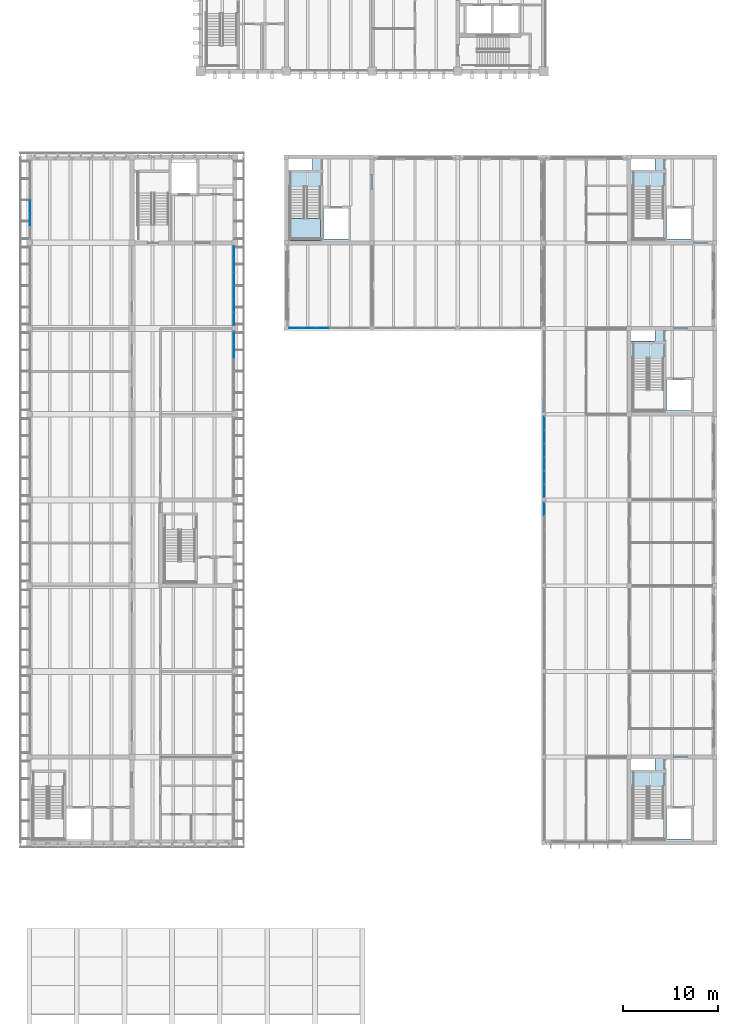
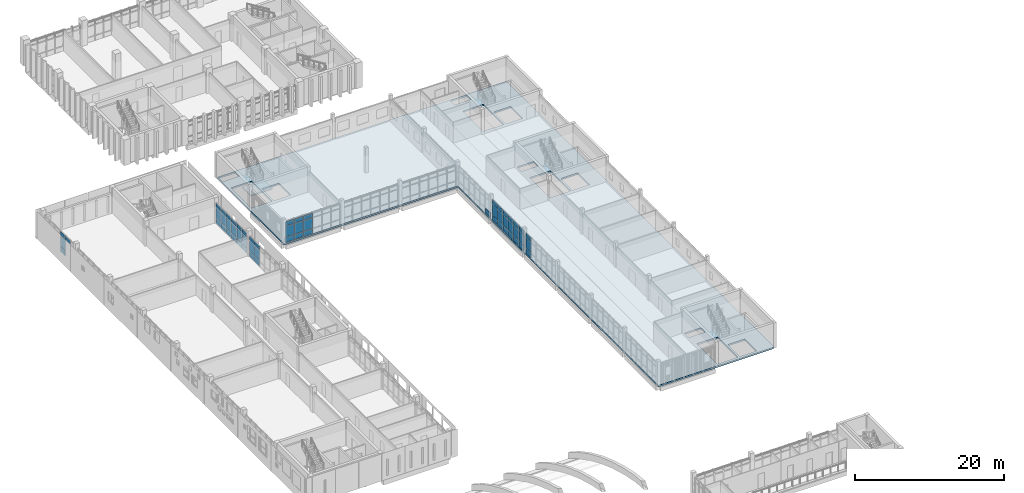
# One storey, part 44 of 88: 59 plates, 2 slabs, 8 elements without a shape of their own.
"""IFC4 building model written with IfcOpenShell, lengths in metres."""

from ifc_helpers import new_model, si_unit, direction, frame, origin, origin_2d, place, context, subcontext, project, spatial, polyline, rectangle, outline, extrude, material, layer, layer_set, type_object, element, aggregate, save


model = new_model("IFC4")

# Units and contexts
model_context = context("Model", 3, precision=1e-05, world=origin(), true_north=direction((0.0, 1.0)))
body_context = subcontext(model_context, "Body", "Model", "MODEL_VIEW")
ifc_project = project(units=[si_unit("LENGTHUNIT", "METRE"), si_unit("AREAUNIT", "SQUARE_METRE"), si_unit("VOLUMEUNIT", "CUBIC_METRE"), si_unit("PLANEANGLEUNIT", "RADIAN"), si_unit("MASSUNIT", "GRAM", prefix="KILO")], contexts=[model_context])

# Site, building, storey
site_placement = place(None, origin())
site = spatial("IfcSite", under=ifc_project, at=site_placement, CompositionType="ELEMENT")
building_placement = place(site_placement, origin())
building = spatial("IfcBuilding", under=site, at=building_placement, Name="Merrow Basin Faculty of Sciences", CompositionType="ELEMENT")
storey_placement = place(building_placement, frame((0.0, 0.0, 9.0)))
storey = spatial("IfcBuildingStorey", under=building, at=storey_placement, Name="L02", CompositionType="ELEMENT", Elevation=9.0)

# Slab
ifc_material_1 = material(Name="Concrete C40/50", Category="concrete")
ifc_layer_1 = layer(ifc_material_1, 0.25)
ifc_layer_set_1 = layer_set([ifc_layer_1], Name="Floor slab 250 Concrete C40/50")
slab_type_1 = type_object("IfcSlabType", Name="Floor slab 250 Concrete C40/50", PredefinedType="FLOOR", material=ifc_layer_set_1)
slab_1_placement = place(storey_placement, frame((0.0, 0.0, -0.25)))
element("IfcSlab", 1, at=slab_1_placement, inside=storey, type_object=slab_type_1, Name="SL7 floor L02 001", PredefinedType="FLOOR", context=body_context, shape_type="SweptSolid", body=[
    extrude(outline(polyline([(54.0, 61.0), (54.0, 115.0), (27.0, 115.0), (27.0, 133.0), (54.0, 133.0), (72.0, 133.0), (72.0, 61.0), (54.0, 61.0)]), holes=[polyline([(66.89990234375, 61.39990234375), (69.5, 61.39990234375), (69.5, 64.60009765625), (66.89990234375, 64.60009765625), (66.89990234375, 61.39990234375)]), polyline([(66.89990234375, 109.60009765625), (66.89990234375, 106.39990234375), (69.5, 106.39990234375), (69.5, 109.60009765625), (66.89990234375, 109.60009765625)]), polyline([(66.89990234375, 127.60009765625), (66.89990234375, 124.39990234375), (69.5, 124.39990234375), (69.5, 127.60009765625), (66.89990234375, 127.60009765625)]), polyline([(63.39990234375, 66.85009765625), (63.39990234375, 61.39990234375), (66.60009765625, 61.39990234375), (66.60009765625, 66.85009765625), (63.39990234375, 66.85009765625)]), polyline([(63.39990234375, 106.39990234375), (66.60009765625, 106.39990234375), (66.60009765625, 111.85009765625), (63.39990234375, 111.85009765625), (63.39990234375, 106.39990234375)]), polyline([(63.39990234375, 129.85009765625), (63.39990234375, 124.39990234375), (66.60009765625, 124.39990234375), (66.60009765625, 129.85009765625), (63.39990234375, 129.85009765625)]), polyline([(63.14990234375, 68.675048828125), (65.72509765625, 68.675048828125), (65.72509765625, 69.85009765625), (63.14990234375, 69.85009765625), (63.14990234375, 68.675048828125)]), polyline([(63.14990234375, 114.85009765625), (63.14990234375, 113.675048828125), (65.72509765625, 113.675048828125), (65.72509765625, 114.85009765625), (63.14990234375, 114.85009765625)]), polyline([(63.14990234375, 132.85009765625), (63.14990234375, 131.675048828125), (65.72509765625, 131.675048828125), (65.72509765625, 132.85009765625), (63.14990234375, 132.85009765625)]), polyline([(30.89990234375, 127.60009765625), (30.89990234375, 124.39990234375), (33.5, 124.39990234375), (33.5, 127.60009765625), (30.89990234375, 127.60009765625)]), polyline([(27.39990234375, 124.39990234375), (30.60009765625, 124.39990234375), (30.60009765625, 129.85009765625), (27.39990234375, 129.85009765625), (27.39990234375, 124.39990234375)]), polyline([(27.14990234375, 132.85009765625), (27.14990234375, 131.675048828125), (29.72509765625, 131.675048828125), (29.72509765625, 132.85009765625), (27.14990234375, 132.85009765625)])]), origin(), (0.0, 0.0, 1.0), 0.25),
])

# Curtain wall, plate
ifc_material_2 = material(Name="Aluminium alloy 6063", Category="aluminium")
curtain_wall_type_1 = type_object("IfcCurtainWallType", Name="Bar unitised curtain wall 180", PredefinedType="NOTDEFINED", material=ifc_material_2)
curtain_wall_1_placement = place(storey_placement, origin())
curtain_wall_1 = element("IfcCurtainWall", 2, at=curtain_wall_1_placement, inside=storey, type_object=curtain_wall_type_1, Name="West curtain wall L02 7", PredefinedType="NOTDEFINED")
ifc_material_3 = material(Name="Insulated aluminium spandrel panel", Category="aluminium")
ifc_layer_2 = layer(ifc_material_3, 0.052001953125)
ifc_layer_set_2 = layer_set([ifc_layer_2], Name="Insulated spandrel panel 52")
plate_type_1 = type_object("IfcPlateType", Name="Insulated spandrel panel 52", PredefinedType="CURTAIN_PANEL", material=ifc_layer_set_2)
plate_1_placement = place(storey_placement, frame((0.090087890625, 127.800048828125, 0.06005859375), z_axis=(0.0, 0.0, 1.0), x_axis=(0.0, 1.0, 0.0)))
plate_1 = element("IfcPlate", 3, at=plate_1_placement, type_object=plate_type_1, Name="CW1 panel 3.1", PredefinedType="CURTAIN_PANEL", context=body_context, shape_type="SweptSolid", body=[
    extrude(rectangle(XDim=1.340087890625, YDim=0.052001953125, at=origin_2d()), origin(), (0.0, 0.0, 1.0), 0.81005859375),
])

# Curtain wall, plates
curtain_wall_2_placement = place(storey_placement, origin())
curtain_wall_2 = element("IfcCurtainWall", 4, at=curtain_wall_2_placement, inside=storey, type_object=curtain_wall_type_1, Name="East curtain wall L02 5", PredefinedType="NOTDEFINED")
plate_2_placement = place(storey_placement, frame((21.510009765625, 112.60009765625, 0.06005859375), z_axis=(0.0, 0.0, 1.0), x_axis=(0.0, 1.0, 0.0)))
plate_2 = element("IfcPlate", 5, at=plate_2_placement, type_object=plate_type_1, Name="CW1 panel 5.1", PredefinedType="CURTAIN_PANEL", context=body_context, shape_type="SweptSolid", body=[
    extrude(rectangle(XDim=1.340087890625, YDim=0.052001953125, at=origin_2d()), origin(), (0.0, 0.0, 1.0), 0.81005859375),
])
plate_3_placement = place(storey_placement, frame((21.510009765625, 113.985107421875, 0.06005859375), z_axis=(0.0, 0.0, 1.0), x_axis=(0.0, 1.0, 0.0)))
plate_3 = element("IfcPlate", 6, at=plate_3_placement, type_object=plate_type_1, Name="CW1 panel 6.1", PredefinedType="CURTAIN_PANEL", context=body_context, shape_type="SweptSolid", body=[
    extrude(rectangle(XDim=1.31005859375, YDim=0.052001953125, at=origin_2d()), origin(), (0.0, 0.0, 1.0), 0.81005859375),
])

curtain_wall_3_placement = place(storey_placement, origin())
curtain_wall_3 = element("IfcCurtainWall", 7, at=curtain_wall_3_placement, inside=storey, type_object=curtain_wall_type_1, Name="East curtain wall L02 6", PredefinedType="NOTDEFINED")
plate_4_placement = place(storey_placement, frame((21.510009765625, 116.014892578125, 0.06005859375), z_axis=(0.0, 0.0, 1.0), x_axis=(0.0, 1.0, 0.0)))
plate_4 = element("IfcPlate", 8, at=plate_4_placement, type_object=plate_type_1, Name="CW1 panel 1.1", PredefinedType="CURTAIN_PANEL", context=body_context, shape_type="SweptSolid", body=[
    extrude(rectangle(XDim=1.31005859375, YDim=0.052001953125, at=origin_2d()), origin(), (0.0, 0.0, 1.0), 0.81005859375),
])
plate_5_placement = place(storey_placement, frame((21.510009765625, 117.39990234375, 0.06005859375), z_axis=(0.0, 0.0, 1.0), x_axis=(0.0, 1.0, 0.0)))
plate_5 = element("IfcPlate", 9, at=plate_5_placement, type_object=plate_type_1, Name="CW1 panel 2.1", PredefinedType="CURTAIN_PANEL", context=body_context, shape_type="SweptSolid", body=[
    extrude(rectangle(XDim=1.340087890625, YDim=0.052001953125, at=origin_2d()), origin(), (0.0, 0.0, 1.0), 0.81005859375),
])
plate_6_placement = place(storey_placement, frame((21.510009765625, 118.800048828125, 0.06005859375), z_axis=(0.0, 0.0, 1.0), x_axis=(0.0, 1.0, 0.0)))
plate_6 = element("IfcPlate", 10, at=plate_6_placement, type_object=plate_type_1, Name="CW1 panel 3.1", PredefinedType="CURTAIN_PANEL", context=body_context, shape_type="SweptSolid", body=[
    extrude(rectangle(XDim=1.340087890625, YDim=0.052001953125, at=origin_2d()), origin(), (0.0, 0.0, 1.0), 0.81005859375),
])
plate_7_placement = place(storey_placement, frame((21.510009765625, 120.199951171875, 0.06005859375), z_axis=(0.0, 0.0, 1.0), x_axis=(0.0, 1.0, 0.0)))
plate_7 = element("IfcPlate", 11, at=plate_7_placement, type_object=plate_type_1, Name="CW1 panel 4.1", PredefinedType="CURTAIN_PANEL", context=body_context, shape_type="SweptSolid", body=[
    extrude(rectangle(XDim=1.340087890625, YDim=0.052001953125, at=origin_2d()), origin(), (0.0, 0.0, 1.0), 0.81005859375),
])
plate_8_placement = place(storey_placement, frame((21.510009765625, 121.60009765625, 0.06005859375), z_axis=(0.0, 0.0, 1.0), x_axis=(0.0, 1.0, 0.0)))
plate_8 = element("IfcPlate", 12, at=plate_8_placement, type_object=plate_type_1, Name="CW1 panel 5.1", PredefinedType="CURTAIN_PANEL", context=body_context, shape_type="SweptSolid", body=[
    extrude(rectangle(XDim=1.340087890625, YDim=0.052001953125, at=origin_2d()), origin(), (0.0, 0.0, 1.0), 0.81005859375),
])
plate_9_placement = place(storey_placement, frame((21.510009765625, 122.985107421875, 0.06005859375), z_axis=(0.0, 0.0, 1.0), x_axis=(0.0, 1.0, 0.0)))
plate_9 = element("IfcPlate", 13, at=plate_9_placement, type_object=plate_type_1, Name="CW1 panel 6.1", PredefinedType="CURTAIN_PANEL", context=body_context, shape_type="SweptSolid", body=[
    extrude(rectangle(XDim=1.31005859375, YDim=0.052001953125, at=origin_2d()), origin(), (0.0, 0.0, 1.0), 0.81005859375),
])

# Curtain wall, plate
ifc_material_4 = material(Name="Aluminium alloy 6063", Category="aluminium")
curtain_wall_type_2 = type_object("IfcCurtainWallType", Name="Court curtain wall 140", PredefinedType="NOTDEFINED", material=ifc_material_4)
curtain_wall_4_placement = place(storey_placement, origin())
curtain_wall_4 = element("IfcCurtainWall", 14, at=curtain_wall_4_placement, inside=storey, type_object=curtain_wall_type_2, Name="Court curtain wall L02 4", PredefinedType="NOTDEFINED")
plate_10_placement = place(storey_placement, frame((54.070068359375, 96.047607421875, 0.06005859375), z_axis=(0.0, 0.0, 1.0), x_axis=(0.0, 1.0, 0.0)))
plate_10 = element("IfcPlate", 15, at=plate_10_placement, type_object=plate_type_1, Name="CW8 panel 6.1", PredefinedType="CURTAIN_PANEL", context=body_context, shape_type="SweptSolid", body=[
    extrude(rectangle(XDim=1.3349609375, YDim=0.052001953125, at=origin_2d()), origin(), (0.0, 0.0, 1.0), 0.81005859375),
])

# Curtain wall, plates
curtain_wall_5_placement = place(storey_placement, origin())
curtain_wall_5 = element("IfcCurtainWall", 16, at=curtain_wall_5_placement, inside=storey, type_object=curtain_wall_type_2, Name="Court curtain wall L02 5", PredefinedType="NOTDEFINED")
plate_11_placement = place(storey_placement, frame((54.070068359375, 97.952392578125, 0.06005859375), z_axis=(0.0, 0.0, 1.0), x_axis=(0.0, 1.0, 0.0)))
plate_11 = element("IfcPlate", 17, at=plate_11_placement, type_object=plate_type_1, Name="CW8 panel 1.1", PredefinedType="CURTAIN_PANEL", context=body_context, shape_type="SweptSolid", body=[
    extrude(rectangle(XDim=1.3349609375, YDim=0.052001953125, at=origin_2d()), origin(), (0.0, 0.0, 1.0), 0.81005859375),
])
plate_12_placement = place(storey_placement, frame((54.070068359375, 99.362548828125, 0.06005859375), z_axis=(0.0, 0.0, 1.0), x_axis=(0.0, 1.0, 0.0)))
plate_12 = element("IfcPlate", 18, at=plate_12_placement, type_object=plate_type_1, Name="CW8 panel 2.1", PredefinedType="CURTAIN_PANEL", context=body_context, shape_type="SweptSolid", body=[
    extrude(rectangle(XDim=1.364990234375, YDim=0.052001953125, at=origin_2d()), origin(), (0.0, 0.0, 1.0), 0.81005859375),
])
plate_13_placement = place(storey_placement, frame((54.070068359375, 100.78759765625, 0.06005859375), z_axis=(0.0, 0.0, 1.0), x_axis=(0.0, 1.0, 0.0)))
plate_13 = element("IfcPlate", 19, at=plate_13_placement, type_object=plate_type_1, Name="CW8 panel 3.1", PredefinedType="CURTAIN_PANEL", context=body_context, shape_type="SweptSolid", body=[
    extrude(rectangle(XDim=1.364990234375, YDim=0.052001953125, at=origin_2d()), origin(), (0.0, 0.0, 1.0), 0.81005859375),
])
plate_14_placement = place(storey_placement, frame((54.070068359375, 102.21240234375, 0.06005859375), z_axis=(0.0, 0.0, 1.0), x_axis=(0.0, 1.0, 0.0)))
plate_14 = element("IfcPlate", 20, at=plate_14_placement, type_object=plate_type_1, Name="CW8 panel 4.1", PredefinedType="CURTAIN_PANEL", context=body_context, shape_type="SweptSolid", body=[
    extrude(rectangle(XDim=1.364990234375, YDim=0.052001953125, at=origin_2d()), origin(), (0.0, 0.0, 1.0), 0.81005859375),
])
plate_15_placement = place(storey_placement, frame((54.070068359375, 103.637451171875, 0.06005859375), z_axis=(0.0, 0.0, 1.0), x_axis=(0.0, 1.0, 0.0)))
plate_15 = element("IfcPlate", 21, at=plate_15_placement, type_object=plate_type_1, Name="CW8 panel 5.1", PredefinedType="CURTAIN_PANEL", context=body_context, shape_type="SweptSolid", body=[
    extrude(rectangle(XDim=1.364990234375, YDim=0.052001953125, at=origin_2d()), origin(), (0.0, 0.0, 1.0), 0.81005859375),
])
plate_16_placement = place(storey_placement, frame((54.070068359375, 105.047607421875, 0.06005859375), z_axis=(0.0, 0.0, 1.0), x_axis=(0.0, 1.0, 0.0)))
plate_16 = element("IfcPlate", 22, at=plate_16_placement, type_object=plate_type_1, Name="CW8 panel 6.1", PredefinedType="CURTAIN_PANEL", context=body_context, shape_type="SweptSolid", body=[
    extrude(rectangle(XDim=1.3349609375, YDim=0.052001953125, at=origin_2d()), origin(), (0.0, 0.0, 1.0), 0.81005859375),
])

# Curtain wall, plate
curtain_wall_6_placement = place(storey_placement, origin())
curtain_wall_6 = element("IfcCurtainWall", 23, at=curtain_wall_6_placement, inside=storey, type_object=curtain_wall_type_2, Name="Court curtain wall L02 6", PredefinedType="NOTDEFINED")
plate_17_placement = place(storey_placement, frame((54.070068359375, 106.952392578125, 0.06005859375), z_axis=(0.0, 0.0, 1.0), x_axis=(0.0, 1.0, 0.0)))
plate_17 = element("IfcPlate", 24, at=plate_17_placement, type_object=plate_type_1, Name="CW8 panel 1.1", PredefinedType="CURTAIN_PANEL", context=body_context, shape_type="SweptSolid", body=[
    extrude(rectangle(XDim=1.3349609375, YDim=0.052001953125, at=origin_2d()), origin(), (0.0, 0.0, 1.0), 0.81005859375),
])
aggregate(curtain_wall_6, [plate_17])

# Curtain wall, plates
curtain_wall_7_placement = place(storey_placement, origin())
curtain_wall_7 = element("IfcCurtainWall", 25, at=curtain_wall_7_placement, inside=storey, type_object=curtain_wall_type_2, Name="Court curtain wall L02 1", PredefinedType="NOTDEFINED")
plate_18_placement = place(storey_placement, frame((27.952392578125, 115.070068359375, 0.06005859375), z_axis=(0.0, 0.0, 1.0), x_axis=(1.0, 0.0, 0.0)))
plate_18 = element("IfcPlate", 26, at=plate_18_placement, type_object=plate_type_1, Name="CW8 panel 1.1", PredefinedType="CURTAIN_PANEL", context=body_context, shape_type="SweptSolid", body=[
    extrude(rectangle(XDim=1.3349609375, YDim=0.052001953125, at=origin_2d()), origin(), (0.0, 0.0, 1.0), 0.81005859375),
])
plate_19_placement = place(storey_placement, frame((29.362548828125, 115.070068359375, 0.06005859375), z_axis=(0.0, 0.0, 1.0), x_axis=(1.0, 0.0, 0.0)))
plate_19 = element("IfcPlate", 27, at=plate_19_placement, type_object=plate_type_1, Name="CW8 panel 2.1", PredefinedType="CURTAIN_PANEL", context=body_context, shape_type="SweptSolid", body=[
    extrude(rectangle(XDim=1.364990234375, YDim=0.052001953125, at=origin_2d()), origin(), (0.0, 0.0, 1.0), 0.81005859375),
])
plate_20_placement = place(storey_placement, frame((30.78759765625, 115.070068359375, 0.06005859375), z_axis=(0.0, 0.0, 1.0), x_axis=(1.0, 0.0, 0.0)))
plate_20 = element("IfcPlate", 28, at=plate_20_placement, type_object=plate_type_1, Name="CW8 panel 3.1", PredefinedType="CURTAIN_PANEL", context=body_context, shape_type="SweptSolid", body=[
    extrude(rectangle(XDim=1.364990234375, YDim=0.052001953125, at=origin_2d()), origin(), (0.0, 0.0, 1.0), 0.81005859375),
])

# Plate
ifc_material_5 = material(Name="Low-E double glazing", Category="glass")
ifc_layer_3 = layer(ifc_material_5, 0.028076171875)
ifc_layer_set_3 = layer_set([ifc_layer_3], Name="Low-E double glazed panel 28")
plate_type_2 = type_object("IfcPlateType", Name="Low-E double glazed panel 28", PredefinedType="CURTAIN_PANEL", material=ifc_layer_set_3)
plate_21_placement = place(storey_placement, frame((0.090087890625, 126.39990234375, 2.72998046875), z_axis=(0.0, 0.0, 1.0), x_axis=(0.0, 1.0, 0.0)))
plate_21 = element("IfcPlate", 29, at=plate_21_placement, type_object=plate_type_2, Name="CW1 panel 2.3", PredefinedType="CURTAIN_PANEL", context=body_context, shape_type="SweptSolid", body=[
    extrude(rectangle(XDim=1.340087890625, YDim=0.028076171875, at=origin_2d()), origin(), (0.0, 0.0, 1.0), 0.610107421875),
])

plate_22_placement = place(storey_placement, frame((0.090087890625, 127.800048828125, 0.93017578125), z_axis=(0.0, 0.0, 1.0), x_axis=(0.0, 1.0, 0.0)))
plate_22 = element("IfcPlate", 30, at=plate_22_placement, type_object=plate_type_2, Name="CW1 panel 3.2", PredefinedType="CURTAIN_PANEL", context=body_context, shape_type="SweptSolid", body=[
    extrude(rectangle(XDim=1.340087890625, YDim=0.028076171875, at=origin_2d()), origin(), (0.0, 0.0, 1.0), 1.739990234375),
])

plate_23_placement = place(storey_placement, frame((0.090087890625, 127.800048828125, 2.72998046875), z_axis=(0.0, 0.0, 1.0), x_axis=(0.0, 1.0, 0.0)))
plate_23 = element("IfcPlate", 31, at=plate_23_placement, type_object=plate_type_2, Name="CW1 panel 3.3", PredefinedType="CURTAIN_PANEL", context=body_context, shape_type="SweptSolid", body=[
    extrude(rectangle(XDim=1.340087890625, YDim=0.028076171875, at=origin_2d()), origin(), (0.0, 0.0, 1.0), 0.610107421875),
])

aggregate(curtain_wall_1, [plate_21, plate_1, plate_22, plate_23])

plate_24_placement = place(storey_placement, frame((21.510009765625, 112.60009765625, 0.93017578125), z_axis=(0.0, 0.0, 1.0), x_axis=(0.0, 1.0, 0.0)))
plate_24 = element("IfcPlate", 32, at=plate_24_placement, type_object=plate_type_2, Name="CW1 panel 5.2", PredefinedType="CURTAIN_PANEL", context=body_context, shape_type="SweptSolid", body=[
    extrude(rectangle(XDim=1.340087890625, YDim=0.028076171875, at=origin_2d()), origin(), (0.0, 0.0, 1.0), 1.739990234375),
])

plate_25_placement = place(storey_placement, frame((21.510009765625, 112.60009765625, 2.72998046875), z_axis=(0.0, 0.0, 1.0), x_axis=(0.0, 1.0, 0.0)))
plate_25 = element("IfcPlate", 33, at=plate_25_placement, type_object=plate_type_2, Name="CW1 panel 5.3", PredefinedType="CURTAIN_PANEL", context=body_context, shape_type="SweptSolid", body=[
    extrude(rectangle(XDim=1.340087890625, YDim=0.028076171875, at=origin_2d()), origin(), (0.0, 0.0, 1.0), 0.610107421875),
])

plate_26_placement = place(storey_placement, frame((21.510009765625, 113.985107421875, 0.93017578125), z_axis=(0.0, 0.0, 1.0), x_axis=(0.0, 1.0, 0.0)))
plate_26 = element("IfcPlate", 34, at=plate_26_placement, type_object=plate_type_2, Name="CW1 panel 6.2", PredefinedType="CURTAIN_PANEL", context=body_context, shape_type="SweptSolid", body=[
    extrude(rectangle(XDim=1.31005859375, YDim=0.028076171875, at=origin_2d()), origin(), (0.0, 0.0, 1.0), 1.739990234375),
])

plate_27_placement = place(storey_placement, frame((21.510009765625, 113.985107421875, 2.72998046875), z_axis=(0.0, 0.0, 1.0), x_axis=(0.0, 1.0, 0.0)))
plate_27 = element("IfcPlate", 35, at=plate_27_placement, type_object=plate_type_2, Name="CW1 panel 6.3", PredefinedType="CURTAIN_PANEL", context=body_context, shape_type="SweptSolid", body=[
    extrude(rectangle(XDim=1.31005859375, YDim=0.028076171875, at=origin_2d()), origin(), (0.0, 0.0, 1.0), 0.610107421875),
])

aggregate(curtain_wall_2, [plate_2, plate_24, plate_25, plate_3, plate_26, plate_27])

plate_28_placement = place(storey_placement, frame((21.510009765625, 116.014892578125, 0.93017578125), z_axis=(0.0, 0.0, 1.0), x_axis=(0.0, 1.0, 0.0)))
plate_28 = element("IfcPlate", 36, at=plate_28_placement, type_object=plate_type_2, Name="CW1 panel 1.2", PredefinedType="CURTAIN_PANEL", context=body_context, shape_type="SweptSolid", body=[
    extrude(rectangle(XDim=1.31005859375, YDim=0.028076171875, at=origin_2d()), origin(), (0.0, 0.0, 1.0), 1.739990234375),
])

plate_29_placement = place(storey_placement, frame((21.510009765625, 116.014892578125, 2.72998046875), z_axis=(0.0, 0.0, 1.0), x_axis=(0.0, 1.0, 0.0)))
plate_29 = element("IfcPlate", 37, at=plate_29_placement, type_object=plate_type_2, Name="CW1 panel 1.3", PredefinedType="CURTAIN_PANEL", context=body_context, shape_type="SweptSolid", body=[
    extrude(rectangle(XDim=1.31005859375, YDim=0.028076171875, at=origin_2d()), origin(), (0.0, 0.0, 1.0), 0.610107421875),
])

plate_30_placement = place(storey_placement, frame((21.510009765625, 117.39990234375, 0.93017578125), z_axis=(0.0, 0.0, 1.0), x_axis=(0.0, 1.0, 0.0)))
plate_30 = element("IfcPlate", 38, at=plate_30_placement, type_object=plate_type_2, Name="CW1 panel 2.2", PredefinedType="CURTAIN_PANEL", context=body_context, shape_type="SweptSolid", body=[
    extrude(rectangle(XDim=1.340087890625, YDim=0.028076171875, at=origin_2d()), origin(), (0.0, 0.0, 1.0), 1.739990234375),
])

plate_31_placement = place(storey_placement, frame((21.510009765625, 117.39990234375, 2.72998046875), z_axis=(0.0, 0.0, 1.0), x_axis=(0.0, 1.0, 0.0)))
plate_31 = element("IfcPlate", 39, at=plate_31_placement, type_object=plate_type_2, Name="CW1 panel 2.3", PredefinedType="CURTAIN_PANEL", context=body_context, shape_type="SweptSolid", body=[
    extrude(rectangle(XDim=1.340087890625, YDim=0.028076171875, at=origin_2d()), origin(), (0.0, 0.0, 1.0), 0.610107421875),
])

plate_32_placement = place(storey_placement, frame((21.510009765625, 118.800048828125, 0.93017578125), z_axis=(0.0, 0.0, 1.0), x_axis=(0.0, 1.0, 0.0)))
plate_32 = element("IfcPlate", 40, at=plate_32_placement, type_object=plate_type_2, Name="CW1 panel 3.2", PredefinedType="CURTAIN_PANEL", context=body_context, shape_type="SweptSolid", body=[
    extrude(rectangle(XDim=1.340087890625, YDim=0.028076171875, at=origin_2d()), origin(), (0.0, 0.0, 1.0), 1.739990234375),
])

plate_33_placement = place(storey_placement, frame((21.510009765625, 118.800048828125, 2.72998046875), z_axis=(0.0, 0.0, 1.0), x_axis=(0.0, 1.0, 0.0)))
plate_33 = element("IfcPlate", 41, at=plate_33_placement, type_object=plate_type_2, Name="CW1 panel 3.3", PredefinedType="CURTAIN_PANEL", context=body_context, shape_type="SweptSolid", body=[
    extrude(rectangle(XDim=1.340087890625, YDim=0.028076171875, at=origin_2d()), origin(), (0.0, 0.0, 1.0), 0.610107421875),
])

plate_34_placement = place(storey_placement, frame((21.510009765625, 120.199951171875, 0.93017578125), z_axis=(0.0, 0.0, 1.0), x_axis=(0.0, 1.0, 0.0)))
plate_34 = element("IfcPlate", 42, at=plate_34_placement, type_object=plate_type_2, Name="CW1 panel 4.2", PredefinedType="CURTAIN_PANEL", context=body_context, shape_type="SweptSolid", body=[
    extrude(rectangle(XDim=1.340087890625, YDim=0.028076171875, at=origin_2d()), origin(), (0.0, 0.0, 1.0), 1.739990234375),
])

plate_35_placement = place(storey_placement, frame((21.510009765625, 120.199951171875, 2.72998046875), z_axis=(0.0, 0.0, 1.0), x_axis=(0.0, 1.0, 0.0)))
plate_35 = element("IfcPlate", 43, at=plate_35_placement, type_object=plate_type_2, Name="CW1 panel 4.3", PredefinedType="CURTAIN_PANEL", context=body_context, shape_type="SweptSolid", body=[
    extrude(rectangle(XDim=1.340087890625, YDim=0.028076171875, at=origin_2d()), origin(), (0.0, 0.0, 1.0), 0.610107421875),
])

plate_36_placement = place(storey_placement, frame((21.510009765625, 121.60009765625, 0.93017578125), z_axis=(0.0, 0.0, 1.0), x_axis=(0.0, 1.0, 0.0)))
plate_36 = element("IfcPlate", 44, at=plate_36_placement, type_object=plate_type_2, Name="CW1 panel 5.2", PredefinedType="CURTAIN_PANEL", context=body_context, shape_type="SweptSolid", body=[
    extrude(rectangle(XDim=1.340087890625, YDim=0.028076171875, at=origin_2d()), origin(), (0.0, 0.0, 1.0), 1.739990234375),
])

plate_37_placement = place(storey_placement, frame((21.510009765625, 121.60009765625, 2.72998046875), z_axis=(0.0, 0.0, 1.0), x_axis=(0.0, 1.0, 0.0)))
plate_37 = element("IfcPlate", 45, at=plate_37_placement, type_object=plate_type_2, Name="CW1 panel 5.3", PredefinedType="CURTAIN_PANEL", context=body_context, shape_type="SweptSolid", body=[
    extrude(rectangle(XDim=1.340087890625, YDim=0.028076171875, at=origin_2d()), origin(), (0.0, 0.0, 1.0), 0.610107421875),
])

plate_38_placement = place(storey_placement, frame((21.510009765625, 122.985107421875, 0.93017578125), z_axis=(0.0, 0.0, 1.0), x_axis=(0.0, 1.0, 0.0)))
plate_38 = element("IfcPlate", 46, at=plate_38_placement, type_object=plate_type_2, Name="CW1 panel 6.2", PredefinedType="CURTAIN_PANEL", context=body_context, shape_type="SweptSolid", body=[
    extrude(rectangle(XDim=1.31005859375, YDim=0.028076171875, at=origin_2d()), origin(), (0.0, 0.0, 1.0), 1.739990234375),
])

plate_39_placement = place(storey_placement, frame((21.510009765625, 122.985107421875, 2.72998046875), z_axis=(0.0, 0.0, 1.0), x_axis=(0.0, 1.0, 0.0)))
plate_39 = element("IfcPlate", 47, at=plate_39_placement, type_object=plate_type_2, Name="CW1 panel 6.3", PredefinedType="CURTAIN_PANEL", context=body_context, shape_type="SweptSolid", body=[
    extrude(rectangle(XDim=1.31005859375, YDim=0.028076171875, at=origin_2d()), origin(), (0.0, 0.0, 1.0), 0.610107421875),
])

aggregate(curtain_wall_3, [plate_4, plate_28, plate_29, plate_5, plate_30, plate_31, plate_6, plate_32, plate_33, plate_7, plate_34, plate_35, plate_8, plate_36, plate_37, plate_9, plate_38, plate_39])

plate_40_placement = place(storey_placement, frame((54.070068359375, 96.047607421875, 0.93017578125), z_axis=(0.0, 0.0, 1.0), x_axis=(0.0, 1.0, 0.0)))
plate_40 = element("IfcPlate", 48, at=plate_40_placement, type_object=plate_type_2, Name="CW8 panel 6.2", PredefinedType="CURTAIN_PANEL", context=body_context, shape_type="SweptSolid", body=[
    extrude(rectangle(XDim=1.3349609375, YDim=0.028076171875, at=origin_2d()), origin(), (0.0, 0.0, 1.0), 1.739990234375),
])

plate_41_placement = place(storey_placement, frame((54.070068359375, 96.047607421875, 2.72998046875), z_axis=(0.0, 0.0, 1.0), x_axis=(0.0, 1.0, 0.0)))
plate_41 = element("IfcPlate", 49, at=plate_41_placement, type_object=plate_type_2, Name="CW8 panel 6.3", PredefinedType="CURTAIN_PANEL", context=body_context, shape_type="SweptSolid", body=[
    extrude(rectangle(XDim=1.3349609375, YDim=0.028076171875, at=origin_2d()), origin(), (0.0, 0.0, 1.0), 0.659912109375),
])

aggregate(curtain_wall_4, [plate_10, plate_40, plate_41])

plate_42_placement = place(storey_placement, frame((54.070068359375, 97.952392578125, 0.93017578125), z_axis=(0.0, 0.0, 1.0), x_axis=(0.0, 1.0, 0.0)))
plate_42 = element("IfcPlate", 50, at=plate_42_placement, type_object=plate_type_2, Name="CW8 panel 1.2", PredefinedType="CURTAIN_PANEL", context=body_context, shape_type="SweptSolid", body=[
    extrude(rectangle(XDim=1.3349609375, YDim=0.028076171875, at=origin_2d()), origin(), (0.0, 0.0, 1.0), 1.739990234375),
])

plate_43_placement = place(storey_placement, frame((54.070068359375, 97.952392578125, 2.72998046875), z_axis=(0.0, 0.0, 1.0), x_axis=(0.0, 1.0, 0.0)))
plate_43 = element("IfcPlate", 51, at=plate_43_placement, type_object=plate_type_2, Name="CW8 panel 1.3", PredefinedType="CURTAIN_PANEL", context=body_context, shape_type="SweptSolid", body=[
    extrude(rectangle(XDim=1.3349609375, YDim=0.028076171875, at=origin_2d()), origin(), (0.0, 0.0, 1.0), 0.659912109375),
])

plate_44_placement = place(storey_placement, frame((54.070068359375, 99.362548828125, 0.93017578125), z_axis=(0.0, 0.0, 1.0), x_axis=(0.0, 1.0, 0.0)))
plate_44 = element("IfcPlate", 52, at=plate_44_placement, type_object=plate_type_2, Name="CW8 panel 2.2", PredefinedType="CURTAIN_PANEL", context=body_context, shape_type="SweptSolid", body=[
    extrude(rectangle(XDim=1.364990234375, YDim=0.028076171875, at=origin_2d()), origin(), (0.0, 0.0, 1.0), 1.739990234375),
])

plate_45_placement = place(storey_placement, frame((54.070068359375, 99.362548828125, 2.72998046875), z_axis=(0.0, 0.0, 1.0), x_axis=(0.0, 1.0, 0.0)))
plate_45 = element("IfcPlate", 53, at=plate_45_placement, type_object=plate_type_2, Name="CW8 panel 2.3", PredefinedType="CURTAIN_PANEL", context=body_context, shape_type="SweptSolid", body=[
    extrude(rectangle(XDim=1.364990234375, YDim=0.028076171875, at=origin_2d()), origin(), (0.0, 0.0, 1.0), 0.659912109375),
])

plate_46_placement = place(storey_placement, frame((54.070068359375, 100.78759765625, 0.93017578125), z_axis=(0.0, 0.0, 1.0), x_axis=(0.0, 1.0, 0.0)))
plate_46 = element("IfcPlate", 54, at=plate_46_placement, type_object=plate_type_2, Name="CW8 panel 3.2", PredefinedType="CURTAIN_PANEL", context=body_context, shape_type="SweptSolid", body=[
    extrude(rectangle(XDim=1.364990234375, YDim=0.028076171875, at=origin_2d()), origin(), (0.0, 0.0, 1.0), 1.739990234375),
])

plate_47_placement = place(storey_placement, frame((54.070068359375, 100.78759765625, 2.72998046875), z_axis=(0.0, 0.0, 1.0), x_axis=(0.0, 1.0, 0.0)))
plate_47 = element("IfcPlate", 55, at=plate_47_placement, type_object=plate_type_2, Name="CW8 panel 3.3", PredefinedType="CURTAIN_PANEL", context=body_context, shape_type="SweptSolid", body=[
    extrude(rectangle(XDim=1.364990234375, YDim=0.028076171875, at=origin_2d()), origin(), (0.0, 0.0, 1.0), 0.659912109375),
])

plate_48_placement = place(storey_placement, frame((54.070068359375, 102.21240234375, 0.93017578125), z_axis=(0.0, 0.0, 1.0), x_axis=(0.0, 1.0, 0.0)))
plate_48 = element("IfcPlate", 56, at=plate_48_placement, type_object=plate_type_2, Name="CW8 panel 4.2", PredefinedType="CURTAIN_PANEL", context=body_context, shape_type="SweptSolid", body=[
    extrude(rectangle(XDim=1.364990234375, YDim=0.028076171875, at=origin_2d()), origin(), (0.0, 0.0, 1.0), 1.739990234375),
])

plate_49_placement = place(storey_placement, frame((54.070068359375, 102.21240234375, 2.72998046875), z_axis=(0.0, 0.0, 1.0), x_axis=(0.0, 1.0, 0.0)))
plate_49 = element("IfcPlate", 57, at=plate_49_placement, type_object=plate_type_2, Name="CW8 panel 4.3", PredefinedType="CURTAIN_PANEL", context=body_context, shape_type="SweptSolid", body=[
    extrude(rectangle(XDim=1.364990234375, YDim=0.028076171875, at=origin_2d()), origin(), (0.0, 0.0, 1.0), 0.659912109375),
])

plate_50_placement = place(storey_placement, frame((54.070068359375, 103.637451171875, 0.93017578125), z_axis=(0.0, 0.0, 1.0), x_axis=(0.0, 1.0, 0.0)))
plate_50 = element("IfcPlate", 58, at=plate_50_placement, type_object=plate_type_2, Name="CW8 panel 5.2", PredefinedType="CURTAIN_PANEL", context=body_context, shape_type="SweptSolid", body=[
    extrude(rectangle(XDim=1.364990234375, YDim=0.028076171875, at=origin_2d()), origin(), (0.0, 0.0, 1.0), 1.739990234375),
])

plate_51_placement = place(storey_placement, frame((54.070068359375, 103.637451171875, 2.72998046875), z_axis=(0.0, 0.0, 1.0), x_axis=(0.0, 1.0, 0.0)))
plate_51 = element("IfcPlate", 59, at=plate_51_placement, type_object=plate_type_2, Name="CW8 panel 5.3", PredefinedType="CURTAIN_PANEL", context=body_context, shape_type="SweptSolid", body=[
    extrude(rectangle(XDim=1.364990234375, YDim=0.028076171875, at=origin_2d()), origin(), (0.0, 0.0, 1.0), 0.659912109375),
])

plate_52_placement = place(storey_placement, frame((54.070068359375, 105.047607421875, 0.93017578125), z_axis=(0.0, 0.0, 1.0), x_axis=(0.0, 1.0, 0.0)))
plate_52 = element("IfcPlate", 60, at=plate_52_placement, type_object=plate_type_2, Name="CW8 panel 6.2", PredefinedType="CURTAIN_PANEL", context=body_context, shape_type="SweptSolid", body=[
    extrude(rectangle(XDim=1.3349609375, YDim=0.028076171875, at=origin_2d()), origin(), (0.0, 0.0, 1.0), 1.739990234375),
])

plate_53_placement = place(storey_placement, frame((54.070068359375, 105.047607421875, 2.72998046875), z_axis=(0.0, 0.0, 1.0), x_axis=(0.0, 1.0, 0.0)))
plate_53 = element("IfcPlate", 61, at=plate_53_placement, type_object=plate_type_2, Name="CW8 panel 6.3", PredefinedType="CURTAIN_PANEL", context=body_context, shape_type="SweptSolid", body=[
    extrude(rectangle(XDim=1.3349609375, YDim=0.028076171875, at=origin_2d()), origin(), (0.0, 0.0, 1.0), 0.659912109375),
])

aggregate(curtain_wall_5, [plate_11, plate_42, plate_43, plate_12, plate_44, plate_45, plate_13, plate_46, plate_47, plate_14, plate_48, plate_49, plate_15, plate_50, plate_51, plate_16, plate_52, plate_53])

plate_54_placement = place(storey_placement, frame((27.952392578125, 115.070068359375, 0.93017578125), z_axis=(0.0, 0.0, 1.0), x_axis=(1.0, 0.0, 0.0)))
plate_54 = element("IfcPlate", 62, at=plate_54_placement, type_object=plate_type_2, Name="CW8 panel 1.2", PredefinedType="CURTAIN_PANEL", context=body_context, shape_type="SweptSolid", body=[
    extrude(rectangle(XDim=1.3349609375, YDim=0.028076171875, at=origin_2d()), origin(), (0.0, 0.0, 1.0), 1.739990234375),
])

plate_55_placement = place(storey_placement, frame((27.952392578125, 115.070068359375, 2.72998046875), z_axis=(0.0, 0.0, 1.0), x_axis=(1.0, 0.0, 0.0)))
plate_55 = element("IfcPlate", 63, at=plate_55_placement, type_object=plate_type_2, Name="CW8 panel 1.3", PredefinedType="CURTAIN_PANEL", context=body_context, shape_type="SweptSolid", body=[
    extrude(rectangle(XDim=1.3349609375, YDim=0.028076171875, at=origin_2d()), origin(), (0.0, 0.0, 1.0), 0.659912109375),
])

plate_56_placement = place(storey_placement, frame((29.362548828125, 115.070068359375, 0.93017578125), z_axis=(0.0, 0.0, 1.0), x_axis=(1.0, 0.0, 0.0)))
plate_56 = element("IfcPlate", 64, at=plate_56_placement, type_object=plate_type_2, Name="CW8 panel 2.2", PredefinedType="CURTAIN_PANEL", context=body_context, shape_type="SweptSolid", body=[
    extrude(rectangle(XDim=1.364990234375, YDim=0.028076171875, at=origin_2d()), origin(), (0.0, 0.0, 1.0), 1.739990234375),
])

plate_57_placement = place(storey_placement, frame((29.362548828125, 115.070068359375, 2.72998046875), z_axis=(0.0, 0.0, 1.0), x_axis=(1.0, 0.0, 0.0)))
plate_57 = element("IfcPlate", 65, at=plate_57_placement, type_object=plate_type_2, Name="CW8 panel 2.3", PredefinedType="CURTAIN_PANEL", context=body_context, shape_type="SweptSolid", body=[
    extrude(rectangle(XDim=1.364990234375, YDim=0.028076171875, at=origin_2d()), origin(), (0.0, 0.0, 1.0), 0.659912109375),
])

plate_58_placement = place(storey_placement, frame((30.78759765625, 115.070068359375, 0.93017578125), z_axis=(0.0, 0.0, 1.0), x_axis=(1.0, 0.0, 0.0)))
plate_58 = element("IfcPlate", 66, at=plate_58_placement, type_object=plate_type_2, Name="CW8 panel 3.2", PredefinedType="CURTAIN_PANEL", context=body_context, shape_type="SweptSolid", body=[
    extrude(rectangle(XDim=1.364990234375, YDim=0.028076171875, at=origin_2d()), origin(), (0.0, 0.0, 1.0), 1.739990234375),
])

plate_59_placement = place(storey_placement, frame((30.78759765625, 115.070068359375, 2.72998046875), z_axis=(0.0, 0.0, 1.0), x_axis=(1.0, 0.0, 0.0)))
plate_59 = element("IfcPlate", 67, at=plate_59_placement, type_object=plate_type_2, Name="CW8 panel 3.3", PredefinedType="CURTAIN_PANEL", context=body_context, shape_type="SweptSolid", body=[
    extrude(rectangle(XDim=1.364990234375, YDim=0.028076171875, at=origin_2d()), origin(), (0.0, 0.0, 1.0), 0.659912109375),
])

aggregate(curtain_wall_7, [plate_18, plate_54, plate_55, plate_19, plate_56, plate_57, plate_20, plate_58, plate_59])

# Stair, slab
ifc_material_6 = material(Name="Concrete C40/50", Category="concrete")
stair_type = type_object("IfcStairType", Name="Concrete dog-leg stair Concrete C40/50", PredefinedType="HALF_TURN_STAIR", material=ifc_material_6)
stair_placement = place(storey_placement, origin())
stair = element("IfcStair", 68, at=stair_placement, inside=storey, type_object=stair_type, Name="L02 Exit stair W", PredefinedType="HALF_TURN_STAIR")
ifc_material_7 = material(Name="Concrete C40/50", Category="concrete")
ifc_layer_4 = layer(ifc_material_7, 0.199951171875)
ifc_layer_set_4 = layer_set([ifc_layer_4], Name="Stair landing 200 Concrete C40/50")
slab_type_2 = type_object("IfcSlabType", Name="Stair landing 200 Concrete C40/50", PredefinedType="LANDING", material=ifc_layer_set_4)
slab_2_placement = place(storey_placement, frame((0.0, 0.0, 2.050048828125)))
slab_2 = element("IfcSlab", 69, at=slab_2_placement, type_object=slab_type_2, Name="ST-V2-W landing 1", PredefinedType="LANDING", context=body_context, shape_type="SweptSolid", body=[
    extrude(outline(polyline([(27.199951171875, 124.199951171875), (30.60009765625, 124.199951171875), (30.60009765625, 126.5400390625), (27.199951171875, 126.5400390625), (27.199951171875, 124.199951171875)])), origin(), (0.0, 0.0, 1.0), 0.199951171875),
])
aggregate(stair, [slab_2])

save(model, "model.ifc")
